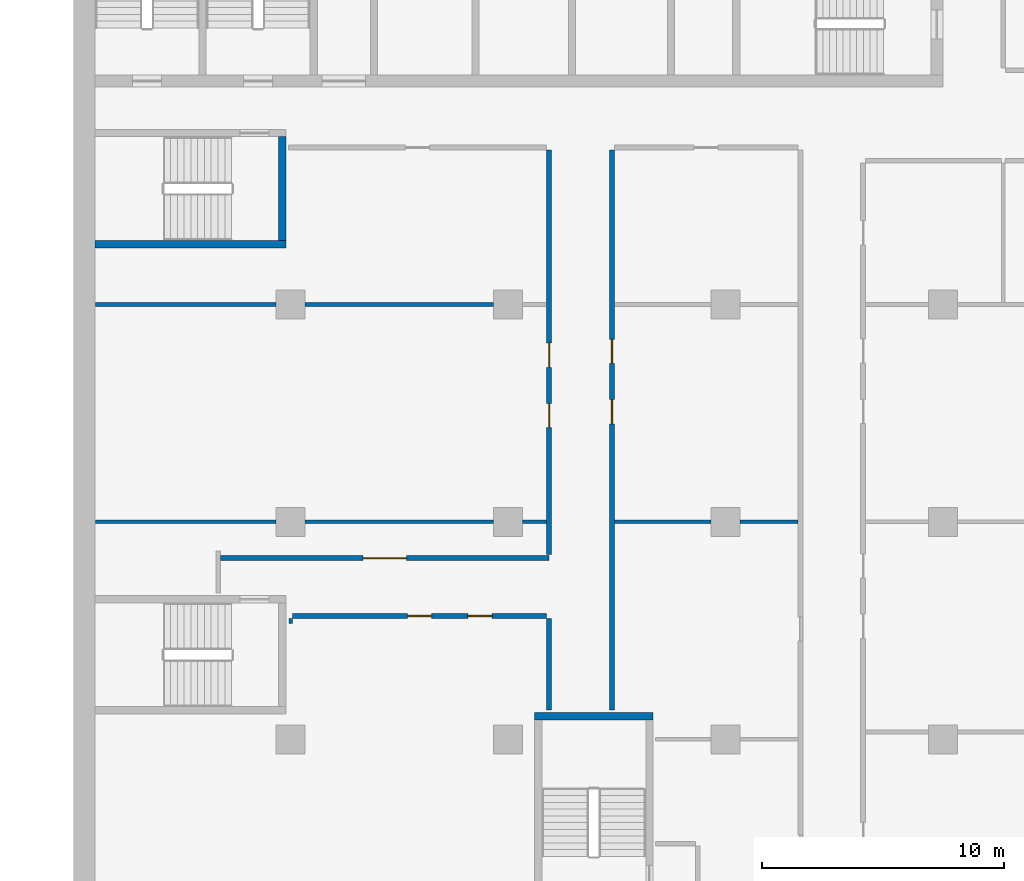
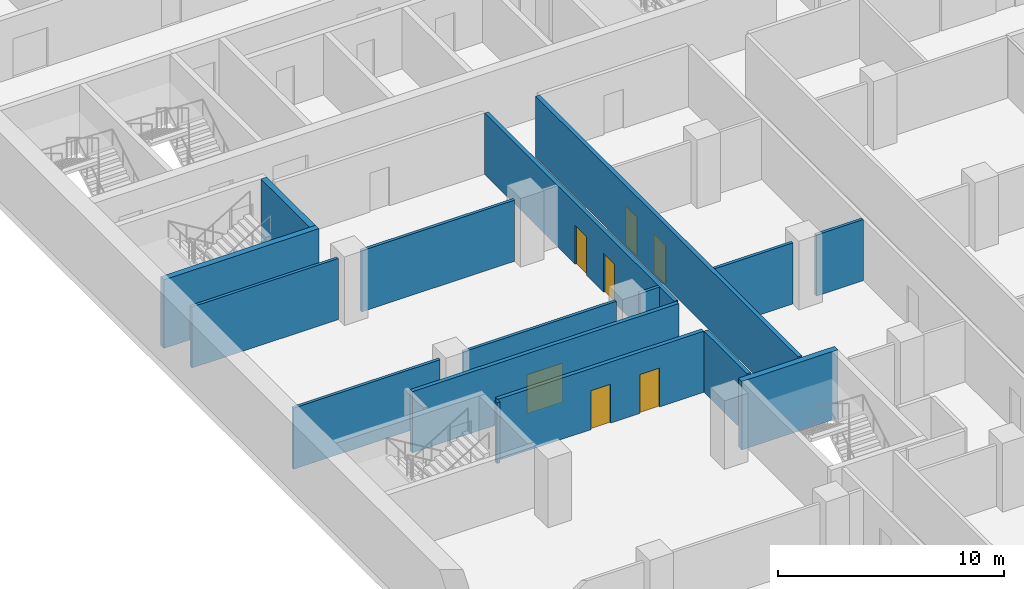
# One storey, part 11 of 23: 16 walls, 7 doors, 7 openings.
"""IFC4 building model written with IfcOpenShell, lengths in metres."""

import ifcopenshell
import ifcopenshell.guid

model = None  # the IFC model being written
_history = None  # IfcOwnerHistory: only IFC2X3 demands one
_inside = {}  # id of a spatial element -> (the spatial element, [elements in it])
_under = {}  # id of a project, library or spatial element -> (it, [spatial elements below it])
_declared = {}  # id of a project -> (the project, [libraries it declares])
_typed = {}  # id of a type object -> (the type object, [elements of that type])
_made_of = {}  # id of a material, layer set ... -> (it, [elements and type objects made of it])


def new_model(schema):
    """Start an empty IFC model of exactly this schema.

    Asked for "IFC4X3", IfcOpenShell would pick the latest addendum, in which some entities
    have other attributes; the version numbers below select the first issue.
    IFC2X3 requires an IfcOwnerHistory on every rooted entity: one is made here for all.
    """
    global model, _history
    if schema == "IFC4X3":
        model = ifcopenshell.file(schema_version=(4, 3, 0, 0))
    else:
        model = ifcopenshell.file(schema=schema)
    _inside.clear()
    _under.clear()
    _declared.clear()
    _typed.clear()
    _made_of.clear()
    _history = None
    if model.schema == "IFC2X3":
        org = make("IfcOrganization", Name="unknown")
        user = make(
            "IfcPersonAndOrganization",
            ThePerson=make("IfcPerson", FamilyName="unknown"),
            TheOrganization=org,
        )
        app = make(
            "IfcApplication",
            ApplicationDeveloper=org,
            Version="unknown",
            ApplicationFullName="unknown",
            ApplicationIdentifier="unknown",
        )
        _history = make(
            "IfcOwnerHistory",
            OwningUser=user,
            OwningApplication=app,
            ChangeAction="ADDED",
            CreationDate=0,
        )
    return model


def make(cls, **values):
    """One entity of the class cls with the attributes given. An attribute that is None is left unset."""
    return model.create_entity(
        cls, **{name: value for name, value in values.items() if value is not None}
    )


def rooted(cls, **values):
    """An entity with a GlobalId (a new one), such as an element, a storey or a relation."""
    return make(cls, GlobalId=ifcopenshell.guid.new(), OwnerHistory=_history, **values)


def si_unit(unit_type, name, prefix=None):
    """IfcSIUnit, for example si_unit("LENGTHUNIT", "METRE", prefix="MILLI")."""
    return make("IfcSIUnit", UnitType=unit_type, Prefix=prefix, Name=name)


def assignment(units):
    """IfcUnitAssignment: the units of a project."""
    return None if units is None else make("IfcUnitAssignment", Units=units)


def point(xyz):
    """IfcCartesianPoint."""
    return None if xyz is None else make("IfcCartesianPoint", Coordinates=xyz)


def direction(xyz):
    """IfcDirection."""
    return None if xyz is None else make("IfcDirection", DirectionRatios=xyz)


def frame(location, z_axis=None, x_axis=None):
    """IfcAxis2Placement3D, a coordinate frame: its origin and axes. An axis left out is left unset."""
    return make(
        "IfcAxis2Placement3D",
        Location=point(location),
        Axis=direction(z_axis),
        RefDirection=direction(x_axis),
    )


def frame_2d(location, x_axis=None):
    """IfcAxis2Placement2D, a coordinate frame in the plane: its origin and x axis."""
    return make(
        "IfcAxis2Placement2D", Location=point(location), RefDirection=direction(x_axis)
    )


def origin():
    """The frame at (0, 0, 0) with its axes left unset."""
    return frame((0.0, 0.0, 0.0))


def place(relative_to, where):
    """IfcLocalPlacement: puts the frame where relative to a parent placement (None: the world)."""
    return make(
        "IfcLocalPlacement", PlacementRelTo=relative_to, RelativePlacement=where
    )


def context(
    kind, dimensions, precision=None, world=None, true_north=None, identifier=None
):
    """IfcGeometricRepresentationContext, for example the 3D "Model" context."""
    return make(
        "IfcGeometricRepresentationContext",
        ContextIdentifier=identifier,
        ContextType=kind,
        CoordinateSpaceDimension=dimensions,
        Precision=precision,
        WorldCoordinateSystem=world,
        TrueNorth=true_north,
    )


def subcontext(parent, identifier, kind, view, scale=None):
    """IfcGeometricRepresentationSubContext, for example "Body" below "Model"."""
    return make(
        "IfcGeometricRepresentationSubContext",
        ContextIdentifier=identifier,
        ContextType=kind,
        ParentContext=parent,
        TargetScale=scale,
        TargetView=view,
    )


def project(units=None, contexts=None):
    """IfcProject with its units and contexts."""
    return rooted(
        "IfcProject",
        Name="project",
        RepresentationContexts=contexts,
        UnitsInContext=assignment(units),
    )


def spatial(cls, under=None, at=None, **own):
    """A site, building, storey or space (cls), placed at a placement, below another one or the project."""
    s = rooted(cls, ObjectPlacement=at, **own)
    if under is not None:
        _under.setdefault(under.id(), (under, []))[1].append(s)
    return s


def profile(cls, at=None, kind="AREA", **sizes):
    """A parametric profile (cls). Its sizes go by their IFC names, for example OverallWidth=200.0."""
    return make(cls, ProfileType=kind, Position=at, **sizes)


def rectangle(**sizes):
    """IfcRectangleProfileDef."""
    return profile("IfcRectangleProfileDef", **sizes)


def extrude(swept, where, along, depth):
    """IfcExtrudedAreaSolid: the profile swept, set in the frame where, extruded along a direction by depth."""
    return make(
        "IfcExtrudedAreaSolid",
        SweptArea=swept,
        Position=where,
        ExtrudedDirection=direction(along),
        Depth=depth,
    )


def shape(context_of_items, identifier, shape_type, items):
    """IfcShapeRepresentation: the items that make up one representation, for example the "Body"."""
    return make(
        "IfcShapeRepresentation",
        ContextOfItems=context_of_items,
        RepresentationIdentifier=identifier,
        RepresentationType=shape_type,
        Items=items,
    )


def material(Name=None, Category=None):
    """IfcMaterial."""
    return make("IfcMaterial", Name=Name, Category=Category)


def layer(
    of_material, thickness, ventilated=None, Name=None, Category=None, Priority=None
):
    """IfcMaterialLayer: one layer of a wall or slab, of a material (None: an air gap)."""
    return make(
        "IfcMaterialLayer",
        Material=of_material,
        LayerThickness=thickness,
        IsVentilated=ventilated,
        Name=Name,
        Category=Category,
        Priority=Priority,
    )


def layer_set(layers, Name=None):
    """IfcMaterialLayerSet."""
    return make("IfcMaterialLayerSet", MaterialLayers=layers, LayerSetName=Name)


def made_of(thing, what):
    """Note that an element or type object is made of a material, layer set ...; save() writes the relation."""
    if what is not None:
        _made_of.setdefault(what.id(), (what, []))[1].append(thing)
    return thing


def type_object(cls, material=None, **own):
    """A type object (cls), such as IfcWallType, which elements share."""
    return made_of(rooted(cls, **own), material)


def element(
    cls,
    number,
    at=None,
    inside=None,
    cuts=None,
    type_object=None,
    material=None,
    context=None,
    identifier="Body",
    shape_type=None,
    held_by="IfcProductDefinitionShape",
    body=None,
    shapes=None,
    **own,
):
    """One element of the class cls, such as IfcWall. Its Tag is "e" and its number.

    at: its placement. inside: the storey or other place that contains it. cuts: it is an
    opening in that element (IfcRelVoidsElement). A single representation is given by context,
    identifier, shape_type and body (its items); several are given by shapes. held_by: the class
    of the entity that holds the representations. save() writes the other relations.
    """
    e = rooted(cls, Tag="e%d" % number, ObjectPlacement=at, **own)
    if body is not None:
        shapes = [shape(context, identifier, shape_type, body)]
    if shapes is not None:
        e.Representation = make(held_by, Representations=shapes)
    if inside is not None:
        _inside.setdefault(inside.id(), (inside, []))[1].append(e)
    if cuts is not None:
        rooted(
            "IfcRelVoidsElement", RelatingBuildingElement=cuts, RelatedOpeningElement=e
        )
    if type_object is not None:
        _typed.setdefault(type_object.id(), (type_object, []))[1].append(e)
    return made_of(e, material)


def fill(opening, filler):
    """IfcRelFillsElement: the door or window that sits in an opening."""
    return rooted(
        "IfcRelFillsElement",
        RelatingOpeningElement=opening,
        RelatedBuildingElement=filler,
    )


def aggregate(whole, parts):
    """IfcRelAggregates: a whole, such as a stair, and the parts it consists of."""
    return rooted("IfcRelAggregates", RelatingObject=whole, RelatedObjects=parts)


def save(model, path):
    """Write the relations noted so far, then the file.

    IfcRelAggregates (storeys below a building ...), IfcRelContainedInSpatialStructure (elements
    in a storey), IfcRelDefinesByType, IfcRelAssociatesMaterial and IfcRelDeclares: one each for
    every whole, place, type object, material and project.
    """
    for whole, parts in _under.values():
        aggregate(whole, parts)
    for where, things in _inside.values():
        rooted(
            "IfcRelContainedInSpatialStructure",
            RelatedElements=things,
            RelatingStructure=where,
        )
    for kind, things in _typed.values():
        rooted("IfcRelDefinesByType", RelatedObjects=things, RelatingType=kind)
    for what, things in _made_of.values():
        rooted("IfcRelAssociatesMaterial", RelatedObjects=things, RelatingMaterial=what)
    for by, libraries in _declared.values():
        rooted("IfcRelDeclares", RelatingContext=by, RelatedDefinitions=libraries)
    model.write(path)


model = new_model("IFC4")

# Units and contexts
model_context = context("Model", 3, precision=1e-05, world=origin(), true_north=direction((0.0, 1.0)))
body_context = subcontext(model_context, "Body", "Model", "MODEL_VIEW")
ifc_project = project(units=[si_unit("LENGTHUNIT", "METRE"), si_unit("AREAUNIT", "SQUARE_METRE"), si_unit("VOLUMEUNIT", "CUBIC_METRE"), si_unit("PLANEANGLEUNIT", "RADIAN"), si_unit("MASSUNIT", "GRAM", prefix="KILO")], contexts=[model_context])

# Site, building, storey
site_placement = place(None, origin())
site = spatial("IfcSite", under=ifc_project, at=site_placement, CompositionType="ELEMENT")
building_placement = place(site_placement, origin())
building = spatial("IfcBuilding", under=site, at=building_placement, Name="Hunhe Ridgeline Campus", CompositionType="ELEMENT")
storey_placement = place(building_placement, frame((0.0, 0.0, 148.60009765625)))
storey = spatial("IfcBuildingStorey", under=building, at=storey_placement, Name="L37", CompositionType="ELEMENT", Elevation=148.60009765625)

# Wall, openings, doors
ifc_material_1 = material(Name="Gypsum board partition")
ifc_layer_1 = layer(ifc_material_1, 0.199951171875)
ifc_layer_set_1 = layer_set([ifc_layer_1], Name="Corridor partition 200 gypsum board on steel studs")
wall_type_1 = type_object("IfcWallType", Name="Corridor partition 200 gypsum board on steel studs", PredefinedType="PARTITIONING", material=ifc_layer_set_1)
wall_1_placement = place(storey_placement, frame((19.60009765625, 41.10009765625, 0.0), z_axis=(0.0, 0.0, 1.0), x_axis=(-1.0, 0.0, 0.0)))
wall_1 = element("IfcWall", 1, at=wall_1_placement, inside=storey, type_object=wall_type_1, Name="F-L37-wall-023", PredefinedType="PARTITIONING", context=body_context, shape_type="SweptSolid", body=[
    extrude(rectangle(XDim=10.525146484375, YDim=0.199951171875, at=frame_2d((5.2626953125, 0.0))), origin(), (0.0, 0.0, 1.0), 3.2998046875),
])
opening_1_placement = place(wall_1_placement, frame((4.762451171875, 0.0, 0.0)))
opening_1 = element("IfcOpeningElement", 2, at=opening_1_placement, cuts=wall_1, Name="Opening RD1-013", PredefinedType="OPENING", context=body_context, shape_type="SweptSolid", body=[
    extrude(rectangle(XDim=1.0, YDim=2.10009765625, at=frame_2d((0.5, 1.050048828125))), frame((0.0, 0.10009765625, 0.0), z_axis=(0.0, -1.0, 0.0), x_axis=(1.0, 0.0, 0.0)), (0.0, 0.0, 1.0), 0.199951171875),
])
opening_2_placement = place(wall_1_placement, frame((2.262451171875, 0.0, 0.0)))
opening_2 = element("IfcOpeningElement", 3, at=opening_2_placement, cuts=wall_1, Name="Opening RD1-014", PredefinedType="OPENING", context=body_context, shape_type="SweptSolid", body=[
    extrude(rectangle(XDim=1.0, YDim=2.10009765625, at=frame_2d((0.5, 1.050048828125))), frame((0.0, 0.10009765625, 0.0), z_axis=(0.0, -1.0, 0.0), x_axis=(1.0, 0.0, 0.0)), (0.0, 0.0, 1.0), 0.199951171875),
])
ifc_material_2 = material(Name="Timber door leaf", Category="wood")
door_type_1 = type_object("IfcDoorType", Name="Single fire door 1000x2100 timber FD60", OperationType="NOTDEFINED", PredefinedType="DOOR", material=ifc_material_2)
door_1_placement = place(opening_1_placement, frame((1.0, 0.0, 0.0), z_axis=(0.0, 0.0, 1.0), x_axis=(-1.0, 0.0, 0.0)))
door_1 = element("IfcDoor", 4, at=door_1_placement, inside=storey, type_object=door_type_1, Name="F-L37-door-013", OperationType="SINGLE_SWING_RIGHT", OverallHeight=2.10009765625, OverallWidth=1.0, PredefinedType="DOOR", context=body_context, shape_type="SweptSolid", body=[
    extrude(rectangle(XDim=1.0, YDim=2.10009765625, at=frame_2d((0.5, 1.050048828125))), frame((0.0, 0.02490234375, 0.0), z_axis=(0.0, -1.0, 0.0), x_axis=(1.0, 0.0, 0.0)), (0.0, 0.0, 1.0), 0.050048828125),
])
fill(opening_1, door_1)
door_2_placement = place(opening_2_placement, frame((1.0, 0.0, 0.0), z_axis=(0.0, 0.0, 1.0), x_axis=(-1.0, 0.0, 0.0)))
door_2 = element("IfcDoor", 5, at=door_2_placement, inside=storey, type_object=door_type_1, Name="F-L37-door-014", OperationType="SINGLE_SWING_RIGHT", OverallHeight=2.10009765625, OverallWidth=1.0, PredefinedType="DOOR", context=body_context, shape_type="SweptSolid", body=[
    extrude(rectangle(XDim=1.0, YDim=2.10009765625, at=frame_2d((0.5, 1.050048828125))), frame((0.0, 0.02490234375, 0.0), z_axis=(0.0, -1.0, 0.0), x_axis=(1.0, 0.0, 0.0)), (0.0, 0.0, 1.0), 0.050048828125),
])
fill(opening_2, door_2)

# Wall, opening, door
wall_2_placement = place(storey_placement, frame((6.10009765625, 43.5, 0.0), z_axis=(0.0, 0.0, 1.0), x_axis=(1.0, 0.0, 0.0)))
wall_2 = element("IfcWall", 6, at=wall_2_placement, inside=storey, type_object=wall_type_1, Name="F-L37-wall-024", PredefinedType="PARTITIONING", context=body_context, shape_type="SweptSolid", body=[
    extrude(rectangle(XDim=13.599853515625, YDim=0.199951171875, at=frame_2d((6.7998046875, 0.0))), origin(), (0.0, 0.0, 1.0), 3.2998046875),
])
opening_3_placement = place(wall_2_placement, frame((5.89990234375, 0.0, 0.0)))
opening_3 = element("IfcOpeningElement", 7, at=opening_3_placement, cuts=wall_2, Name="Opening RD2-016", PredefinedType="OPENING", context=body_context, shape_type="SweptSolid", body=[
    extrude(rectangle(XDim=1.800048828125, YDim=2.10009765625, at=frame_2d((0.89990234375, 1.050048828125))), frame((0.0, 0.10009765625, 0.0), z_axis=(0.0, -1.0, 0.0), x_axis=(1.0, 0.0, 0.0)), (0.0, 0.0, 1.0), 0.199951171875),
])
door_type_2 = type_object("IfcDoorType", Name="Double fire door 1800x2100 timber FD60", OperationType="DOUBLE_DOOR_SINGLE_SWING", PredefinedType="DOOR", material=ifc_material_2)
door_3_placement = place(opening_3_placement, origin())
door_3 = element("IfcDoor", 8, at=door_3_placement, inside=storey, type_object=door_type_2, Name="F-L37-door-016", OperationType="DOUBLE_DOOR_SINGLE_SWING", OverallHeight=2.10009765625, OverallWidth=1.800048828125, PredefinedType="DOOR", context=body_context, shape_type="SweptSolid", body=[
    extrude(rectangle(XDim=1.800048828125, YDim=2.10009765625, at=frame_2d((0.89990234375, 1.050048828125))), frame((0.0, 0.02490234375, 0.0), z_axis=(0.0, -1.0, 0.0), x_axis=(1.0, 0.0, 0.0)), (0.0, 0.0, 1.0), 0.050048828125),
])
fill(opening_3, door_3)

# Wall
wall_3_placement = place(storey_placement, frame((19.699951171875, 37.2041015625, 0.0), z_axis=(0.0, 0.0, 1.0), x_axis=(0.0, 1.0, 0.0)))
element("IfcWall", 9, at=wall_3_placement, inside=storey, type_object=wall_type_1, Name="F-L37-wall-062", PredefinedType="PARTITIONING", context=body_context, shape_type="SweptSolid", body=[
    extrude(rectangle(XDim=3.7958984375, YDim=0.199951171875, at=frame_2d((1.89794921875, 0.0))), origin(), (0.0, 0.0, 1.0), 3.2998046875),
])

# Wall, openings, doors
wall_4_placement = place(storey_placement, frame((19.699951171875, 43.6474609375, 0.0), z_axis=(0.0, 0.0, 1.0), x_axis=(0.0, 1.0, 0.0)))
wall_4 = element("IfcWall", 10, at=wall_4_placement, inside=storey, type_object=wall_type_1, Name="F-L37-wall-063", PredefinedType="PARTITIONING", context=body_context, shape_type="SweptSolid", body=[
    extrude(rectangle(XDim=16.75244140625, YDim=0.199951171875, at=frame_2d((8.376220703125, 0.0))), origin(), (0.0, 0.0, 1.0), 3.2998046875),
])
opening_4_placement = place(wall_4_placement, frame((5.250732421875, 0.0, 0.0)))
opening_4 = element("IfcOpeningElement", 11, at=opening_4_placement, cuts=wall_4, Name="Opening RD1-017", PredefinedType="OPENING", context=body_context, shape_type="SweptSolid", body=[
    extrude(rectangle(XDim=1.0, YDim=2.10009765625, at=frame_2d((0.5, 1.050048828125))), frame((0.0, 0.10009765625, 0.0), z_axis=(0.0, -1.0, 0.0), x_axis=(1.0, 0.0, 0.0)), (0.0, 0.0, 1.0), 0.199951171875),
])
opening_5_placement = place(wall_4_placement, frame((7.750732421875, 0.0, 0.0)))
opening_5 = element("IfcOpeningElement", 12, at=opening_5_placement, cuts=wall_4, Name="Opening RD1-020", PredefinedType="OPENING", context=body_context, shape_type="SweptSolid", body=[
    extrude(rectangle(XDim=1.0, YDim=2.10009765625, at=frame_2d((0.5, 1.050048828125))), frame((0.0, 0.10009765625, 0.0), z_axis=(0.0, -1.0, 0.0), x_axis=(1.0, 0.0, 0.0)), (0.0, 0.0, 1.0), 0.199951171875),
])
door_4_placement = place(opening_4_placement, frame((1.0, 0.0, 0.0), z_axis=(0.0, 0.0, 1.0), x_axis=(-1.0, 0.0, 0.0)))
door_4 = element("IfcDoor", 13, at=door_4_placement, inside=storey, type_object=door_type_1, Name="F-L37-door-017", OperationType="SINGLE_SWING_LEFT", OverallHeight=2.10009765625, OverallWidth=1.0, PredefinedType="DOOR", context=body_context, shape_type="SweptSolid", body=[
    extrude(rectangle(XDim=1.0, YDim=2.10009765625, at=frame_2d((0.5, 1.050048828125))), frame((0.0, 0.02490234375, 0.0), z_axis=(0.0, -1.0, 0.0), x_axis=(1.0, 0.0, 0.0)), (0.0, 0.0, 1.0), 0.050048828125),
])
fill(opening_4, door_4)
door_5_placement = place(opening_5_placement, frame((1.0, 0.0, 0.0), z_axis=(0.0, 0.0, 1.0), x_axis=(-1.0, 0.0, 0.0)))
door_5 = element("IfcDoor", 14, at=door_5_placement, inside=storey, type_object=door_type_1, Name="F-L37-door-020", OperationType="SINGLE_SWING_LEFT", OverallHeight=2.10009765625, OverallWidth=1.0, PredefinedType="DOOR", context=body_context, shape_type="SweptSolid", body=[
    extrude(rectangle(XDim=1.0, YDim=2.10009765625, at=frame_2d((0.5, 1.050048828125))), frame((0.0, 0.02490234375, 0.0), z_axis=(0.0, -1.0, 0.0), x_axis=(1.0, 0.0, 0.0)), (0.0, 0.0, 1.0), 0.050048828125),
])
fill(opening_5, door_5)

wall_5_placement = place(storey_placement, frame((22.300048828125, 60.39990234375, 0.0), z_axis=(0.0, 0.0, 1.0), x_axis=(0.0, -1.0, 0.0)))
wall_5 = element("IfcWall", 15, at=wall_5_placement, inside=storey, type_object=wall_type_1, Name="F-L37-wall-065", PredefinedType="PARTITIONING", context=body_context, shape_type="SweptSolid", body=[
    extrude(rectangle(XDim=23.19580078125, YDim=0.199951171875, at=frame_2d((11.597900390625, 0.0))), origin(), (0.0, 0.0, 1.0), 3.2998046875),
])
opening_6_placement = place(wall_5_placement, frame((10.341552734375, 0.0, 0.0)))
opening_6 = element("IfcOpeningElement", 16, at=opening_6_placement, cuts=wall_5, Name="Opening RD1-018", PredefinedType="OPENING", context=body_context, shape_type="SweptSolid", body=[
    extrude(rectangle(XDim=1.0, YDim=2.10009765625, at=frame_2d((0.5, 1.050048828125))), frame((0.0, 0.10009765625, 0.0), z_axis=(0.0, -1.0, 0.0), x_axis=(1.0, 0.0, 0.0)), (0.0, 0.0, 1.0), 0.199951171875),
])
opening_7_placement = place(wall_5_placement, frame((7.841552734375, 0.0, 0.0)))
opening_7 = element("IfcOpeningElement", 17, at=opening_7_placement, cuts=wall_5, Name="Opening RD1-021", PredefinedType="OPENING", context=body_context, shape_type="SweptSolid", body=[
    extrude(rectangle(XDim=1.0, YDim=2.10009765625, at=frame_2d((0.5, 1.050048828125))), frame((0.0, 0.10009765625, 0.0), z_axis=(0.0, -1.0, 0.0), x_axis=(1.0, 0.0, 0.0)), (0.0, 0.0, 1.0), 0.199951171875),
])
door_6_placement = place(opening_6_placement, frame((1.0, 0.0, 0.0), z_axis=(0.0, 0.0, 1.0), x_axis=(-1.0, 0.0, 0.0)))
door_6 = element("IfcDoor", 18, at=door_6_placement, inside=storey, type_object=door_type_1, Name="F-L37-door-018", OperationType="SINGLE_SWING_LEFT", OverallHeight=2.10009765625, OverallWidth=1.0, PredefinedType="DOOR", context=body_context, shape_type="SweptSolid", body=[
    extrude(rectangle(XDim=1.0, YDim=2.10009765625, at=frame_2d((0.5, 1.050048828125))), frame((0.0, 0.02490234375, 0.0), z_axis=(0.0, -1.0, 0.0), x_axis=(1.0, 0.0, 0.0)), (0.0, 0.0, 1.0), 0.050048828125),
])
fill(opening_6, door_6)
door_7_placement = place(opening_7_placement, frame((1.0, 0.0, 0.0), z_axis=(0.0, 0.0, 1.0), x_axis=(-1.0, 0.0, 0.0)))
door_7 = element("IfcDoor", 19, at=door_7_placement, inside=storey, type_object=door_type_1, Name="F-L37-door-021", OperationType="SINGLE_SWING_RIGHT", OverallHeight=2.10009765625, OverallWidth=1.0, PredefinedType="DOOR", context=body_context, shape_type="SweptSolid", body=[
    extrude(rectangle(XDim=1.0, YDim=2.10009765625, at=frame_2d((0.5, 1.050048828125))), frame((0.0, 0.02490234375, 0.0), z_axis=(0.0, -1.0, 0.0), x_axis=(1.0, 0.0, 0.0)), (0.0, 0.0, 1.0), 0.050048828125),
])
fill(opening_7, door_7)

# Walls
ifc_layer_2 = layer(ifc_material_1, 0.14990234375)
ifc_layer_set_2 = layer_set([ifc_layer_2], Name="Room partition 150 gypsum board on steel studs")
wall_type_2 = type_object("IfcWallType", Name="Room partition 150 gypsum board on steel studs", PredefinedType="PARTITIONING", material=ifc_layer_set_2)
wall_6_placement = place(storey_placement, frame((0.919921875, 45.0, 0.0), z_axis=(0.0, 0.0, 1.0), x_axis=(1.0, 0.0, 0.0)))
element("IfcWall", 20, at=wall_6_placement, inside=storey, type_object=wall_type_2, Name="F-L37-wall-025", PredefinedType="PARTITIONING", context=body_context, shape_type="SweptSolid", body=[
    extrude(rectangle(XDim=7.47998046875, YDim=0.14990234375, at=frame_2d((3.739990234375, 0.0))), origin(), (0.0, 0.0, 1.0), 3.2998046875),
])
wall_7_placement = place(storey_placement, frame((9.60009765625, 45.0, 0.0), z_axis=(0.0, 0.0, 1.0), x_axis=(1.0, 0.0, 0.0)))
element("IfcWall", 21, at=wall_7_placement, inside=storey, type_object=wall_type_2, Name="F-L37-wall-026", PredefinedType="PARTITIONING", context=body_context, shape_type="SweptSolid", body=[
    extrude(rectangle(XDim=7.7998046875, YDim=0.14990234375, at=frame_2d((3.89990234375, 0.0))), origin(), (0.0, 0.0, 1.0), 3.2998046875),
])
wall_8_placement = place(storey_placement, frame((18.60009765625, 45.0, 0.0), z_axis=(0.0, 0.0, 1.0), x_axis=(1.0, 0.0, 0.0)))
element("IfcWall", 22, at=wall_8_placement, inside=storey, type_object=wall_type_2, Name="F-L37-wall-027", PredefinedType="PARTITIONING", context=body_context, shape_type="SweptSolid", body=[
    extrude(rectangle(XDim=1.0, YDim=0.14990234375, at=frame_2d((0.5, 0.0))), origin(), (0.0, 0.0, 1.0), 3.2998046875),
])
wall_9_placement = place(storey_placement, frame((22.39990234375, 45.0, 0.0), z_axis=(0.0, 0.0, 1.0), x_axis=(1.0, 0.0, 0.0)))
element("IfcWall", 23, at=wall_9_placement, inside=storey, type_object=wall_type_2, Name="F-L37-wall-028", PredefinedType="PARTITIONING", context=body_context, shape_type="SweptSolid", body=[
    extrude(rectangle(XDim=4.0, YDim=0.14990234375, at=frame_2d((2.0, 0.0))), origin(), (0.0, 0.0, 1.0), 3.2998046875),
])
wall_10_placement = place(storey_placement, frame((27.60009765625, 45.0, 0.0), z_axis=(0.0, 0.0, 1.0), x_axis=(1.0, 0.0, 0.0)))
element("IfcWall", 24, at=wall_10_placement, inside=storey, type_object=wall_type_2, Name="F-L37-wall-029", PredefinedType="PARTITIONING", context=body_context, shape_type="SweptSolid", body=[
    extrude(rectangle(XDim=2.39990234375, YDim=0.14990234375, at=frame_2d((1.199951171875, 0.0))), origin(), (0.0, 0.0, 1.0), 3.2998046875),
])
wall_11_placement = place(storey_placement, frame((0.919921875, 54.0, 0.0), z_axis=(0.0, 0.0, 1.0), x_axis=(1.0, 0.0, 0.0)))
element("IfcWall", 25, at=wall_11_placement, inside=storey, type_object=wall_type_2, Name="F-L37-wall-032", PredefinedType="PARTITIONING", context=body_context, shape_type="SweptSolid", body=[
    extrude(rectangle(XDim=7.47998046875, YDim=0.14990234375, at=frame_2d((3.739990234375, 0.0))), origin(), (0.0, 0.0, 1.0), 3.2998046875),
])
wall_12_placement = place(storey_placement, frame((9.60009765625, 54.0, 0.0), z_axis=(0.0, 0.0, 1.0), x_axis=(1.0, 0.0, 0.0)))
element("IfcWall", 26, at=wall_12_placement, inside=storey, type_object=wall_type_2, Name="F-L37-wall-033", PredefinedType="PARTITIONING", context=body_context, shape_type="SweptSolid", body=[
    extrude(rectangle(XDim=7.7998046875, YDim=0.14990234375, at=frame_2d((3.89990234375, 0.0))), origin(), (0.0, 0.0, 1.0), 3.2998046875),
])
wall_13_placement = place(storey_placement, frame((9.0, 41.0, 0.0), z_axis=(0.0, 0.0, 1.0), x_axis=(0.0, -1.0, 0.0)))
element("IfcWall", 27, at=wall_13_placement, inside=storey, type_object=wall_type_2, Name="F-L37-wall-060", PredefinedType="PARTITIONING", context=body_context, shape_type="SweptSolid", body=[
    extrude(rectangle(XDim=0.199951171875, YDim=0.14990234375, at=frame_2d((0.10009765625, 0.0))), origin(), (0.0, 0.0, 1.0), 3.2998046875),
])
ifc_material_3 = material(Name="Concrete C70", Category="concrete")
ifc_layer_3 = layer(ifc_material_3, 0.300048828125)
ifc_layer_set_3 = layer_set([ifc_layer_3], Name="Stair wall 300 reinforced concrete C70")
wall_type_3 = type_object("IfcWallType", Name="Stair wall 300 reinforced concrete C70", PredefinedType="SOLIDWALL", material=ifc_layer_set_3)
wall_14_placement = place(storey_placement, frame((19.10009765625, 36.949951171875, -0.400146484375), z_axis=(0.0, 0.0, 1.0), x_axis=(1.0, 0.0, 0.0)))
element("IfcWall", 28, at=wall_14_placement, inside=storey, type_object=wall_type_3, Name="L37 core wall 2", PredefinedType="SOLIDWALL", context=body_context, shape_type="SweptSolid", body=[
    extrude(rectangle(XDim=4.89990234375, YDim=0.300048828125, at=frame_2d((2.449951171875, 0.0))), origin(), (0.0, 0.0, 1.0), 3.699951171875),
])
wall_15_placement = place(storey_placement, frame((0.89990234375, 56.5, -0.400146484375), z_axis=(0.0, 0.0, 1.0), x_axis=(1.0, 0.0, 0.0)))
element("IfcWall", 29, at=wall_15_placement, inside=storey, type_object=wall_type_3, Name="L37 core wall 5", PredefinedType="SOLIDWALL", context=body_context, shape_type="SweptSolid", body=[
    extrude(rectangle(XDim=7.900146484375, YDim=0.300048828125, at=frame_2d((3.9501953125, 0.0))), origin(), (0.0, 0.0, 1.0), 3.699951171875),
])
wall_16_placement = place(storey_placement, frame((8.64990234375, 56.64990234375, -0.400146484375), z_axis=(0.0, 0.0, 1.0), x_axis=(0.0, 1.0, 0.0)))
element("IfcWall", 30, at=wall_16_placement, inside=storey, type_object=wall_type_3, Name="L37 core wall 36", PredefinedType="SOLIDWALL", context=body_context, shape_type="SweptSolid", body=[
    extrude(rectangle(XDim=4.300048828125, YDim=0.300048828125, at=frame_2d((2.14990234375, 0.0))), origin(), (0.0, 0.0, 1.0), 3.699951171875),
])

save(model, "model.ifc")
